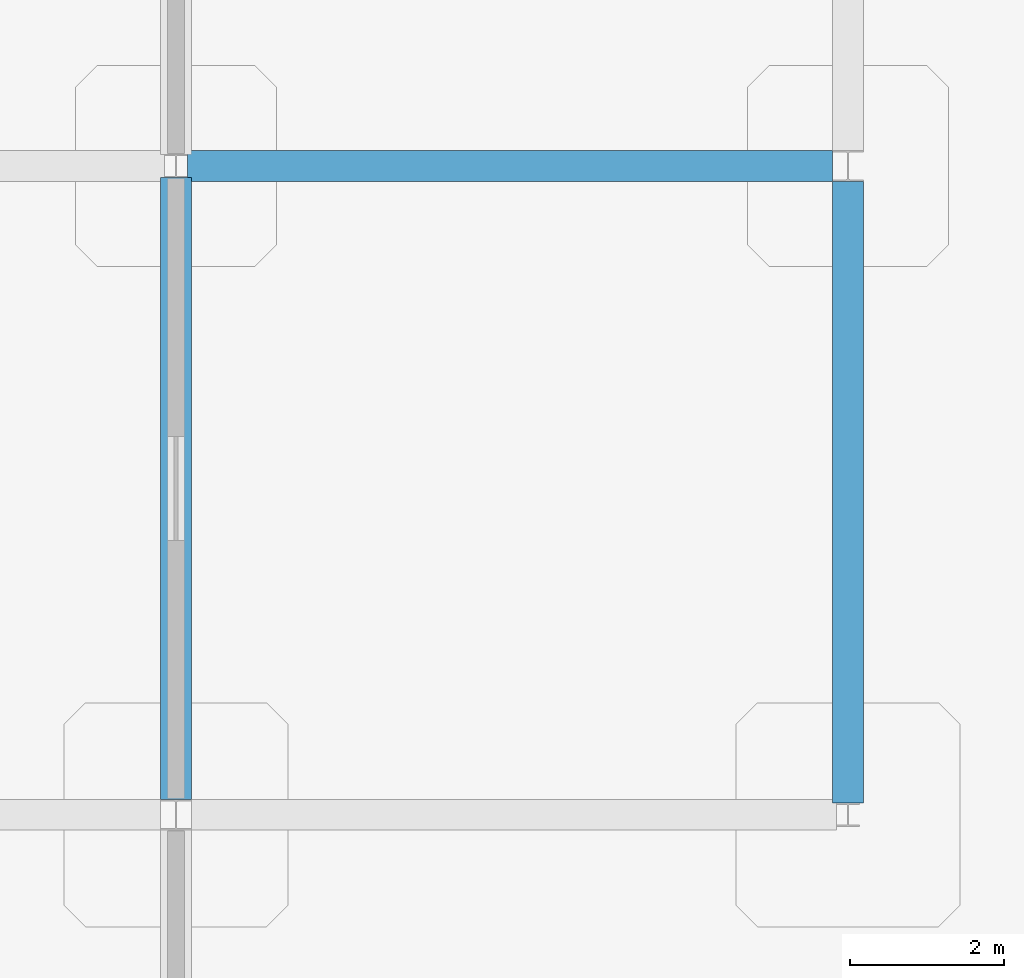
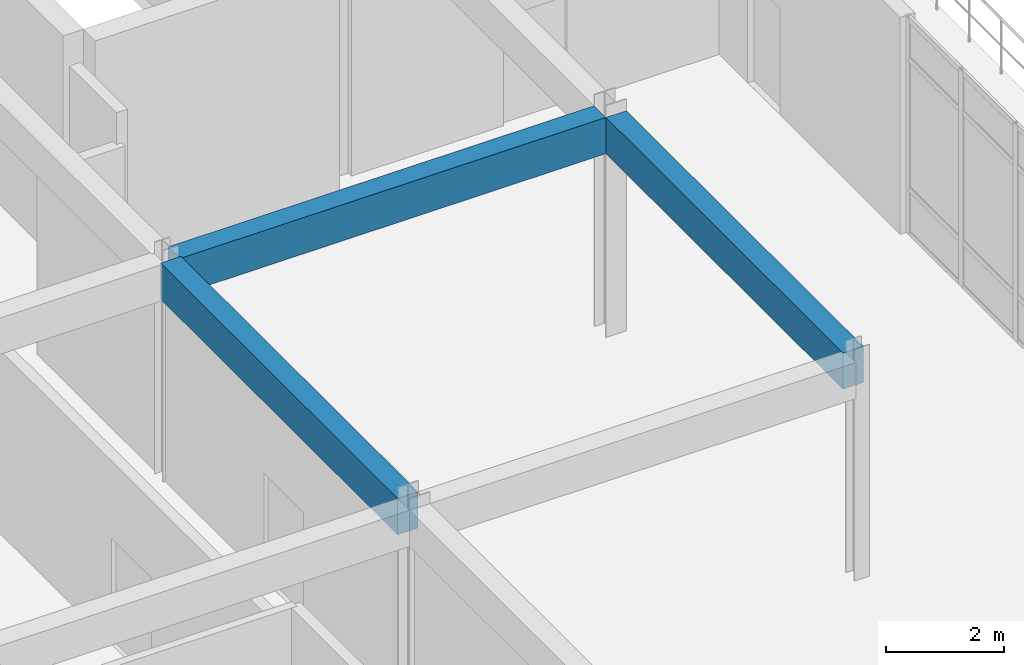
# One storey, part 27 of 41: 3 beams.
"""IFC4 building model written with IfcOpenShell, lengths in metres."""

from ifc_helpers import new_model, si_unit, derived_unit, direction, frame, origin, origin_2d, place, context, subcontext, project, spatial, rectangle, extrude, material, material_profile, profile_set, type_object, element, save


model = new_model("IFC4")

# Units and contexts
model_context = context("Model", 3, precision=1e-05, world=origin(), true_north=direction((0.0, 1.0)))
body_context = subcontext(model_context, "Body", "Model", "MODEL_VIEW")
ifc_project = project(units=[si_unit("LENGTHUNIT", "METRE"), si_unit("AREAUNIT", "SQUARE_METRE"), si_unit("VOLUMEUNIT", "CUBIC_METRE"), si_unit("PLANEANGLEUNIT", "RADIAN"), si_unit("MASSUNIT", "GRAM", prefix="KILO"), derived_unit("THERMALTRANSMITTANCEUNIT", [(si_unit("MASSUNIT", "GRAM", prefix="KILO"), 1), (si_unit("TIMEUNIT", "SECOND"), -3), (si_unit("THERMODYNAMICTEMPERATUREUNIT", "KELVIN"), -1)])], contexts=[model_context])

# Site, building, storey
site_placement = place(None, origin())
site = spatial("IfcSite", under=ifc_project, at=site_placement, CompositionType="ELEMENT")
building_placement = place(site_placement, origin())
building = spatial("IfcBuilding", under=site, at=building_placement, Name="Qinzheling Arcade Emporium", CompositionType="ELEMENT")
storey_placement = place(building_placement, frame((0.0, 0.0, 36.300048828125)))
storey = spatial("IfcBuildingStorey", under=building, at=storey_placement, Name="L08", CompositionType="ELEMENT", Elevation=36.300048828125)

# Beams
ifc_material = material(Name="Concrete C40", Category="concrete")
ifc_material_profile = material_profile(ifc_material, rectangle(XDim=0.39990234375, YDim=0.75, at=origin_2d()), Name="RC 400x750", Category="concrete")
ifc_profile_set = profile_set([ifc_material_profile], Name="Concrete C40")
beam_type = type_object("IfcBeamType", Name="RC Interior Tie Beam 400x750 C40", PredefinedType="BEAM", material=ifc_profile_set)
beam_1_placement = place(storey_placement, frame((113.25, 90.60009765625, 4.18505859375), z_axis=(1.0, 0.0, 0.0), x_axis=(0.0, 1.0, 0.0)))
element("IfcBeam", 1, at=beam_1_placement, inside=storey, type_object=beam_type, Name="Beam BM-L08-X-L-14", PredefinedType="BEAM", context=body_context, shape_type="SweptSolid", body=[
    extrude(rectangle(XDim=0.39990234375, YDim=0.75, at=origin_2d()), origin(), (0.0, 0.0, 1.0), 8.35009765625),
])
beam_2_placement = place(storey_placement, frame((113.10009765625, 82.39990234375, 4.18505859375), z_axis=(0.0, 1.0, 0.0), x_axis=(-1.0, 0.0, 0.0)))
element("IfcBeam", 2, at=beam_2_placement, inside=storey, type_object=beam_type, Name="Beam BM-L08-Y-14-K", PredefinedType="BEAM", context=body_context, shape_type="SweptSolid", body=[
    extrude(rectangle(XDim=0.39990234375, YDim=0.75, at=origin_2d()), origin(), (0.0, 0.0, 1.0), 8.050048828125),
])
beam_3_placement = place(storey_placement, frame((121.800048828125, 82.35009765625, 4.18505859375), z_axis=(0.0, 1.0, 0.0), x_axis=(-1.0, 0.0, 0.0)))
element("IfcBeam", 3, at=beam_3_placement, inside=storey, type_object=beam_type, Name="Beam BM-L08-Y-15-K", PredefinedType="BEAM", context=body_context, shape_type="SweptSolid", body=[
    extrude(rectangle(XDim=0.39990234375, YDim=0.75, at=origin_2d()), origin(), (0.0, 0.0, 1.0), 8.0498046875),
])

save(model, "model.ifc")
